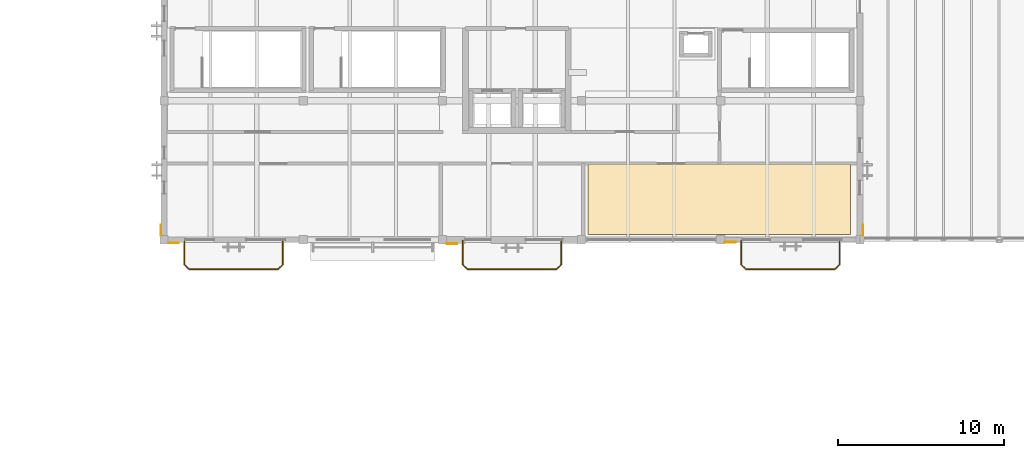
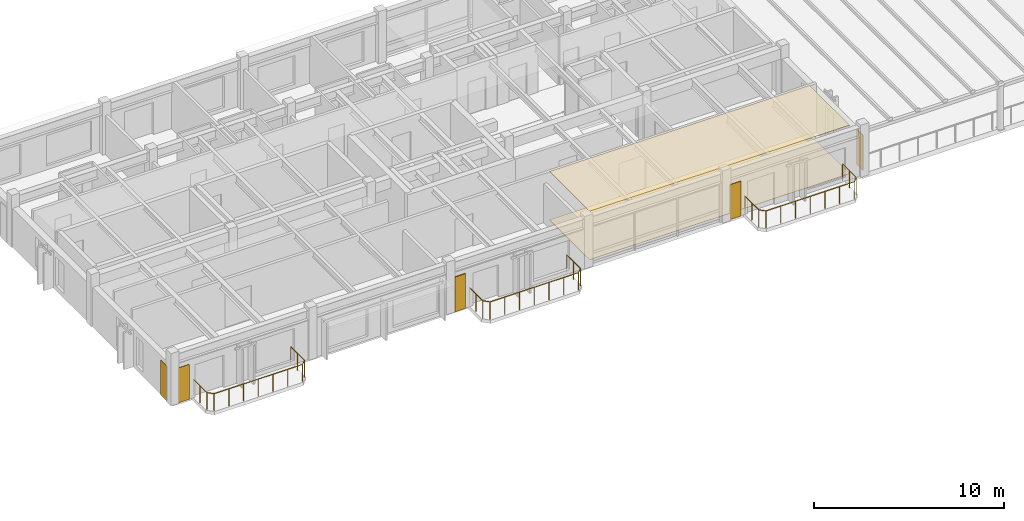
# One storey, part 21 of 24: 7 coverings, 3 railings.
"""IFC4 building model written with IfcOpenShell, lengths in metres."""

from ifc_helpers import new_model, si_unit, direction, frame, origin, origin_2d, place, context, subcontext, project, spatial, polyline, circle, outline, extrude, material, layer, layer_set, type_object, element, save


model = new_model("IFC4")

# Units and contexts
model_context = context("Model", 3, precision=1e-05, world=origin(), true_north=direction((0.0, 1.0)))
body_context = subcontext(model_context, "Body", "Model", "MODEL_VIEW")
ifc_project = project(units=[si_unit("LENGTHUNIT", "METRE"), si_unit("AREAUNIT", "SQUARE_METRE"), si_unit("VOLUMEUNIT", "CUBIC_METRE"), si_unit("PLANEANGLEUNIT", "RADIAN"), si_unit("MASSUNIT", "GRAM", prefix="KILO")], contexts=[model_context])

# Site, building, storey
site_placement = place(None, origin())
site = spatial("IfcSite", under=ifc_project, at=site_placement, CompositionType="ELEMENT")
building_placement = place(site_placement, origin())
building = spatial("IfcBuilding", under=site, at=building_placement, Name="Cumbredor Promenade Congress Hotel", CompositionType="ELEMENT")
storey_placement = place(building_placement, frame((0.0, 0.0, 35.280029296875)))
storey = spatial("IfcBuildingStorey", under=building, at=storey_placement, Name="L10", CompositionType="ELEMENT", Elevation=35.280029296875)

# Coverings
ifc_material_1 = material(Name="Acoustic mineral-fiber and gypsum ceiling")
ifc_layer_1 = layer(ifc_material_1, 0.031982421875, Name="Acoustic mineral-fiber and gypsum ceiling")
ifc_layer_set_1 = layer_set([ifc_layer_1], Name="Acoustic mineral-fiber and gypsum ceiling")
covering_type_1 = type_object("IfcCoveringType", Name="Acoustic Perforated Gypsum Ceiling CLG-04 32mm", PredefinedType="CEILING", material=ifc_layer_set_1)
covering_1_placement = place(storey_placement, frame((0.0, 0.0, 3.10791015625)))
element("IfcCovering", 1, at=covering_1_placement, inside=storey, type_object=covering_type_1, Name="Cordillera Sky Banquet Salon Acoustic Ceiling", PredefinedType="CEILING", context=body_context, shape_type="SweptSolid", body=[
    extrude(outline(polyline([(49.820068359375, 92.72998046875), (49.820068359375, 96.969970703125), (33.97998046875, 96.969970703125), (33.97998046875, 92.72998046875), (49.820068359375, 92.72998046875)])), origin(), (0.0, 0.0, 1.0), 0.031982421875),
])
ifc_material_2 = material(Name="Precast concrete C40/50", Category="concrete")
ifc_layer_2 = layer(ifc_material_2, 0.044921875, Name="Precast concrete C40/50", Category="concrete")
ifc_layer_set_2 = layer_set([ifc_layer_2], Name="Precast concrete C40/50")
covering_type_2 = type_object("IfcCoveringType", Name="Board-Formed Architectural Cladding Panel 45mm", PredefinedType="CLADDING", material=ifc_layer_set_2)
covering_2_placement = place(storey_placement, origin())
element("IfcCovering", 2, at=covering_2_placement, inside=storey, type_object=covering_type_2, Name="L10 Facade Stone Cladding Pier 256", PredefinedType="CLADDING", context=body_context, shape_type="SweptSolid", body=[
    extrude(outline(polyline([(25.450927734375, 92.1875), (26.10107421875, 92.1875), (26.10107421875, 92.142578125), (25.450927734375, 92.142578125), (25.450927734375, 92.1875)])), origin(), (0.0, 0.0, 1.0), 2.25),
])
ifc_material_3 = material(Name="Porcelain stoneware tile", Category="masonry")
ifc_layer_3 = layer(ifc_material_3, 0.02001953125, Name="Porcelain stoneware tile", Category="masonry")
ifc_layer_set_3 = layer_set([ifc_layer_3], Name="Porcelain stoneware tile")
covering_type_3 = type_object("IfcCoveringType", Name="Porcelain Stoneware Flooring FLR-01 20mm", PredefinedType="FLOORING", material=ifc_layer_set_3)
covering_3_placement = place(storey_placement, origin())
element("IfcCovering", 3, at=covering_3_placement, inside=storey, type_object=covering_type_3, Name="Cordillera Sky Banquet Salon Porcelain Flooring", PredefinedType="FLOORING", context=body_context, shape_type="SweptSolid", body=[
    extrude(outline(polyline([(49.820068359375, 92.72998046875), (49.820068359375, 96.969970703125), (33.97998046875, 96.969970703125), (33.97998046875, 92.72998046875), (49.820068359375, 92.72998046875)])), origin(), (0.0, 0.0, 1.0), 0.02001953125),
])

# Railings
ifc_material_4 = material(Name="Brushed stainless steel", Category="steel")
railing_type_1 = type_object("IfcRailingType", Name="Sky Garden Glass-and-Steel Balustrade BAL-1150", PredefinedType="BALUSTRADE", material=ifc_material_4)
railing_1_placement = place(storey_placement, frame((26.429931640625, 92.35009765625, 0.0)))
element("IfcRailing", 4, at=railing_1_placement, inside=storey, type_object=railing_type_1, Name="L10 Veranda Balcony Balustrade 062", PredefinedType="BALUSTRADE", context=body_context, shape_type="SweptSolid", body=[
    extrude(circle(Radius=0.02392578125, at=origin_2d()), frame((0.0, 0.0, 1.1259765625), z_axis=(0.0, -1.0, 0.0), x_axis=(1.0, 0.0, 0.0)), (0.0, 0.0, 1.0), 1.440185546875),
    extrude(circle(Radius=0.02392578125, at=origin_2d()), frame((0.0, -1.440185546875, 1.1259765625), z_axis=(0.707106781187, -0.707106781187, 0.0), x_axis=(0.707106781187, 0.707106781187, 0.0)), (0.0, 0.0, 1.0), 0.39599609375),
    extrude(circle(Radius=0.02392578125, at=origin_2d()), frame((0.280029296875, -1.72021484375, 1.1259765625), z_axis=(1.0, 0.0, 0.0), x_axis=(0.0, 1.0, 0.0)), (0.0, 0.0, 1.0), 5.380126953125),
    extrude(circle(Radius=0.02392578125, at=origin_2d()), frame((5.66015625, -1.72021484375, 1.1259765625), z_axis=(0.707106781187, 0.707106781187, 0.0), x_axis=(-0.707106781187, 0.707106781187, 0.0)), (0.0, 0.0, 1.0), 0.39599609375),
    extrude(circle(Radius=0.02392578125, at=origin_2d()), frame((5.940185546875, -1.440185546875, 1.1259765625), z_axis=(0.0, 1.0, 0.0), x_axis=(-1.0, 0.0, 0.0)), (0.0, 0.0, 1.0), 1.440185546875),
    extrude(circle(Radius=0.02099609375, at=origin_2d()), origin(), (0.0, 0.0, 1.0), 1.101806640625),
    extrude(circle(Radius=0.02099609375, at=origin_2d()), frame((0.0, -0.72021484375, 0.0)), (0.0, 0.0, 1.0), 1.101806640625),
    extrude(circle(Radius=0.02099609375, at=origin_2d()), frame((0.0, -1.440185546875, 0.0)), (0.0, 0.0, 1.0), 1.101806640625),
    extrude(circle(Radius=0.02099609375, at=origin_2d()), frame((0.280029296875, -1.72021484375, 0.0)), (0.0, 0.0, 1.0), 1.101806640625),
    extrude(circle(Radius=0.02099609375, at=origin_2d()), frame((1.1767578125, -1.72021484375, 0.0)), (0.0, 0.0, 1.0), 1.101806640625),
    extrude(circle(Radius=0.02099609375, at=origin_2d()), frame((2.073486328125, -1.72021484375, 0.0)), (0.0, 0.0, 1.0), 1.101806640625),
    extrude(circle(Radius=0.02099609375, at=origin_2d()), frame((2.97021484375, -1.72021484375, 0.0)), (0.0, 0.0, 1.0), 1.101806640625),
    extrude(circle(Radius=0.02099609375, at=origin_2d()), frame((3.86669921875, -1.72021484375, 0.0)), (0.0, 0.0, 1.0), 1.101806640625),
    extrude(circle(Radius=0.02099609375, at=origin_2d()), frame((4.763427734375, -1.72021484375, 0.0)), (0.0, 0.0, 1.0), 1.101806640625),
    extrude(circle(Radius=0.02099609375, at=origin_2d()), frame((5.66015625, -1.72021484375, 0.0)), (0.0, 0.0, 1.0), 1.101806640625),
    extrude(circle(Radius=0.02099609375, at=origin_2d()), frame((5.940185546875, -1.440185546875, 0.0)), (0.0, 0.0, 1.0), 1.101806640625),
    extrude(circle(Radius=0.02099609375, at=origin_2d()), frame((5.940185546875, -0.72021484375, 0.0)), (0.0, 0.0, 1.0), 1.101806640625),
    extrude(circle(Radius=0.02099609375, at=origin_2d()), frame((5.940185546875, 0.0, 0.0)), (0.0, 0.0, 1.0), 1.101806640625),
])
railing_type_2 = type_object("IfcRailingType", Name="Terrace Perimeter Balustrade BAL-1120", PredefinedType="BALUSTRADE", material=ifc_material_4)
railing_2_placement = place(storey_placement, frame((9.6298828125, 92.35009765625, 0.0)))
element("IfcRailing", 5, at=railing_2_placement, inside=storey, type_object=railing_type_2, Name="L10 Veranda Balcony Balustrade 061", PredefinedType="BALUSTRADE", context=body_context, shape_type="SweptSolid", body=[
    extrude(circle(Radius=0.02392578125, at=origin_2d()), frame((0.0, 0.0, 1.09619140625), z_axis=(0.0, -1.0, 0.0), x_axis=(1.0, 0.0, 0.0)), (0.0, 0.0, 1.0), 1.440185546875),
    extrude(circle(Radius=0.02392578125, at=origin_2d()), frame((0.0, -1.440185546875, 1.09619140625), z_axis=(0.707106781187, -0.707106781187, 0.0), x_axis=(0.707106781187, 0.707106781187, 0.0)), (0.0, 0.0, 1.0), 0.39599609375),
    extrude(circle(Radius=0.02392578125, at=origin_2d()), frame((0.280029296875, -1.72021484375, 1.09619140625), z_axis=(1.0, 0.0, 0.0), x_axis=(0.0, 1.0, 0.0)), (0.0, 0.0, 1.0), 5.380126953125),
    extrude(circle(Radius=0.02392578125, at=origin_2d()), frame((5.66015625, -1.72021484375, 1.09619140625), z_axis=(0.707106781187, 0.707106781187, 0.0), x_axis=(-0.707106781187, 0.707106781187, 0.0)), (0.0, 0.0, 1.0), 0.39599609375),
    extrude(circle(Radius=0.02392578125, at=origin_2d()), frame((5.940185546875, -1.440185546875, 1.09619140625), z_axis=(0.0, 1.0, 0.0), x_axis=(-1.0, 0.0, 0.0)), (0.0, 0.0, 1.0), 1.440185546875),
    extrude(circle(Radius=0.02099609375, at=origin_2d()), origin(), (0.0, 0.0, 1.0), 1.072021484375),
    extrude(circle(Radius=0.02099609375, at=origin_2d()), frame((0.0, -0.72021484375, 0.0)), (0.0, 0.0, 1.0), 1.072021484375),
    extrude(circle(Radius=0.02099609375, at=origin_2d()), frame((0.0, -1.440185546875, 0.0)), (0.0, 0.0, 1.0), 1.072021484375),
    extrude(circle(Radius=0.02099609375, at=origin_2d()), frame((0.280029296875, -1.72021484375, 0.0)), (0.0, 0.0, 1.0), 1.072021484375),
    extrude(circle(Radius=0.02099609375, at=origin_2d()), frame((1.1767578125, -1.72021484375, 0.0)), (0.0, 0.0, 1.0), 1.072021484375),
    extrude(circle(Radius=0.02099609375, at=origin_2d()), frame((2.073486328125, -1.72021484375, 0.0)), (0.0, 0.0, 1.0), 1.072021484375),
    extrude(circle(Radius=0.02099609375, at=origin_2d()), frame((2.97021484375, -1.72021484375, 0.0)), (0.0, 0.0, 1.0), 1.072021484375),
    extrude(circle(Radius=0.02099609375, at=origin_2d()), frame((3.86669921875, -1.72021484375, 0.0)), (0.0, 0.0, 1.0), 1.072021484375),
    extrude(circle(Radius=0.02099609375, at=origin_2d()), frame((4.763427734375, -1.72021484375, 0.0)), (0.0, 0.0, 1.0), 1.072021484375),
    extrude(circle(Radius=0.02099609375, at=origin_2d()), frame((5.66015625, -1.72021484375, 0.0)), (0.0, 0.0, 1.0), 1.072021484375),
    extrude(circle(Radius=0.02099609375, at=origin_2d()), frame((5.940185546875, -1.440185546875, 0.0)), (0.0, 0.0, 1.0), 1.072021484375),
    extrude(circle(Radius=0.02099609375, at=origin_2d()), frame((5.940185546875, -0.72021484375, 0.0)), (0.0, 0.0, 1.0), 1.072021484375),
    extrude(circle(Radius=0.02099609375, at=origin_2d()), frame((5.940185546875, 0.0, 0.0)), (0.0, 0.0, 1.0), 1.072021484375),
])
railing_3_placement = place(storey_placement, frame((43.22998046875, 92.35009765625, 0.0)))
element("IfcRailing", 6, at=railing_3_placement, inside=storey, type_object=railing_type_2, Name="L10 Veranda Balcony Balustrade 063", PredefinedType="BALUSTRADE", context=body_context, shape_type="SweptSolid", body=[
    extrude(circle(Radius=0.02392578125, at=origin_2d()), frame((0.0, 0.0, 1.09619140625), z_axis=(0.0, -1.0, 0.0), x_axis=(1.0, 0.0, 0.0)), (0.0, 0.0, 1.0), 1.440185546875),
    extrude(circle(Radius=0.02392578125, at=origin_2d()), frame((0.0, -1.440185546875, 1.09619140625), z_axis=(0.707106781187, -0.707106781187, 0.0), x_axis=(0.707106781187, 0.707106781187, 0.0)), (0.0, 0.0, 1.0), 0.39599609375),
    extrude(circle(Radius=0.02392578125, at=origin_2d()), frame((0.280029296875, -1.72021484375, 1.09619140625), z_axis=(1.0, 0.0, 0.0), x_axis=(0.0, 1.0, 0.0)), (0.0, 0.0, 1.0), 5.3798828125),
    extrude(circle(Radius=0.02392578125, at=origin_2d()), frame((5.659912109375, -1.72021484375, 1.09619140625), z_axis=(0.707106781187, 0.707106781187, 0.0), x_axis=(-0.707106781187, 0.707106781187, 0.0)), (0.0, 0.0, 1.0), 0.39599609375),
    extrude(circle(Radius=0.02392578125, at=origin_2d()), frame((5.93994140625, -1.440185546875, 1.09619140625), z_axis=(0.0, 1.0, 0.0), x_axis=(-1.0, 0.0, 0.0)), (0.0, 0.0, 1.0), 1.440185546875),
    extrude(circle(Radius=0.02099609375, at=origin_2d()), origin(), (0.0, 0.0, 1.0), 1.072021484375),
    extrude(circle(Radius=0.02099609375, at=origin_2d()), frame((0.0, -0.72021484375, 0.0)), (0.0, 0.0, 1.0), 1.072021484375),
    extrude(circle(Radius=0.02099609375, at=origin_2d()), frame((0.0, -1.440185546875, 0.0)), (0.0, 0.0, 1.0), 1.072021484375),
    extrude(circle(Radius=0.02099609375, at=origin_2d()), frame((0.280029296875, -1.72021484375, 0.0)), (0.0, 0.0, 1.0), 1.072021484375),
    extrude(circle(Radius=0.02099609375, at=origin_2d()), frame((1.1767578125, -1.72021484375, 0.0)), (0.0, 0.0, 1.0), 1.072021484375),
    extrude(circle(Radius=0.02099609375, at=origin_2d()), frame((2.0732421875, -1.72021484375, 0.0)), (0.0, 0.0, 1.0), 1.072021484375),
    extrude(circle(Radius=0.02099609375, at=origin_2d()), frame((2.969970703125, -1.72021484375, 0.0)), (0.0, 0.0, 1.0), 1.072021484375),
    extrude(circle(Radius=0.02099609375, at=origin_2d()), frame((3.86669921875, -1.72021484375, 0.0)), (0.0, 0.0, 1.0), 1.072021484375),
    extrude(circle(Radius=0.02099609375, at=origin_2d()), frame((4.76318359375, -1.72021484375, 0.0)), (0.0, 0.0, 1.0), 1.072021484375),
    extrude(circle(Radius=0.02099609375, at=origin_2d()), frame((5.659912109375, -1.72021484375, 0.0)), (0.0, 0.0, 1.0), 1.072021484375),
    extrude(circle(Radius=0.02099609375, at=origin_2d()), frame((5.93994140625, -1.440185546875, 0.0)), (0.0, 0.0, 1.0), 1.072021484375),
    extrude(circle(Radius=0.02099609375, at=origin_2d()), frame((5.93994140625, -0.72021484375, 0.0)), (0.0, 0.0, 1.0), 1.072021484375),
    extrude(circle(Radius=0.02099609375, at=origin_2d()), frame((5.93994140625, 0.0, 0.0)), (0.0, 0.0, 1.0), 1.072021484375),
])

# Coverings
ifc_material_5 = material(Name="Volcanic andesite ashlar cladding", Category="masonry")
ifc_layer_4 = layer(ifc_material_5, 0.034912109375, Name="Volcanic andesite ashlar cladding", Category="masonry")
ifc_layer_set_4 = layer_set([ifc_layer_4], Name="Volcanic andesite ashlar cladding")
covering_type_4 = type_object("IfcCoveringType", Name="Volcanic Andesite Ashlar Rainscreen Cladding 35mm", PredefinedType="CLADDING", material=ifc_layer_set_4)
covering_4_placement = place(storey_placement, origin())
element("IfcCovering", 7, at=covering_4_placement, inside=storey, type_object=covering_type_4, Name="L10 Facade Stone Cladding Pier 255", PredefinedType="CLADDING", context=body_context, shape_type="SweptSolid", body=[
    extrude(outline(polyline([(8.65087890625, 92.22509765625), (9.301025390625, 92.22509765625), (9.301025390625, 92.18994140625), (8.65087890625, 92.18994140625), (8.65087890625, 92.22509765625)])), origin(), (0.0, 0.0, 1.0), 2.25),
])
covering_5_placement = place(storey_placement, origin())
element("IfcCovering", 8, at=covering_5_placement, inside=storey, type_object=covering_type_4, Name="L10 Facade Stone Cladding Pier 257", PredefinedType="CLADDING", context=body_context, shape_type="SweptSolid", body=[
    extrude(outline(polyline([(42.2509765625, 92.27001953125), (42.90087890625, 92.27001953125), (42.90087890625, 92.235107421875), (42.2509765625, 92.235107421875), (42.2509765625, 92.27001953125)])), origin(), (0.0, 0.0, 1.0), 2.25),
])
covering_6_placement = place(storey_placement, origin())
element("IfcCovering", 9, at=covering_6_placement, inside=storey, type_object=covering_type_4, Name="L10 Facade Stone Cladding Pier 261", PredefinedType="CLADDING", context=body_context, shape_type="SweptSolid", body=[
    extrude(outline(polyline([(8.22509765625, 92.65087890625), (8.22509765625, 93.301025390625), (8.18994140625, 93.301025390625), (8.18994140625, 92.65087890625), (8.22509765625, 92.65087890625)])), origin(), (0.0, 0.0, 1.0), 2.25),
])
covering_7_placement = place(storey_placement, origin())
element("IfcCovering", 10, at=covering_7_placement, inside=storey, type_object=covering_type_4, Name="L10 Facade Stone Cladding Pier 263", PredefinedType="CLADDING", context=body_context, shape_type="SweptSolid", body=[
    extrude(outline(polyline([(50.574951171875, 92.65087890625), (50.574951171875, 93.301025390625), (50.610107421875, 93.301025390625), (50.610107421875, 92.65087890625), (50.574951171875, 92.65087890625)])), origin(), (0.0, 0.0, 1.0), 2.25),
])

save(model, "model.ifc")
